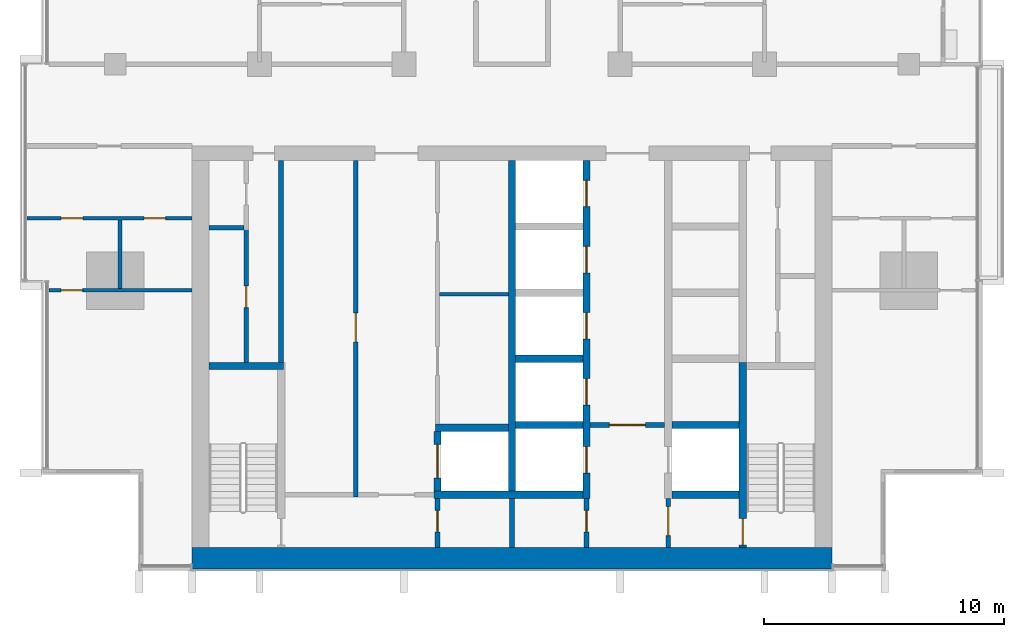
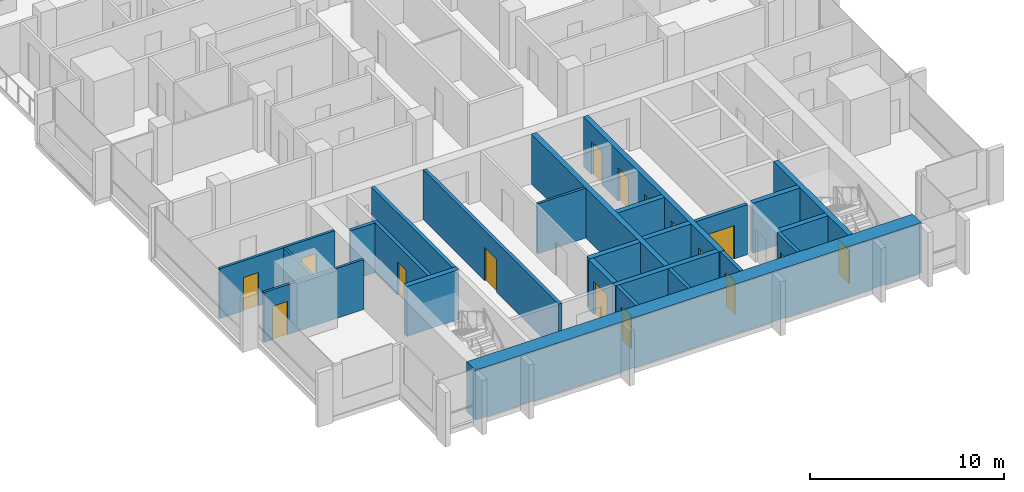
# One storey, part 7 of 17: 25 walls, 16 doors, 16 openings.
"""IFC4 building model written with IfcOpenShell, lengths in metres."""

import ifcopenshell
import ifcopenshell.guid

model = None  # the IFC model being written
_history = None  # IfcOwnerHistory: only IFC2X3 demands one
_inside = {}  # id of a spatial element -> (the spatial element, [elements in it])
_under = {}  # id of a project, library or spatial element -> (it, [spatial elements below it])
_declared = {}  # id of a project -> (the project, [libraries it declares])
_typed = {}  # id of a type object -> (the type object, [elements of that type])
_made_of = {}  # id of a material, layer set ... -> (it, [elements and type objects made of it])


def new_model(schema):
    """Start an empty IFC model of exactly this schema.

    Asked for "IFC4X3", IfcOpenShell would pick the latest addendum, in which some entities
    have other attributes; the version numbers below select the first issue.
    IFC2X3 requires an IfcOwnerHistory on every rooted entity: one is made here for all.
    """
    global model, _history
    if schema == "IFC4X3":
        model = ifcopenshell.file(schema_version=(4, 3, 0, 0))
    else:
        model = ifcopenshell.file(schema=schema)
    _inside.clear()
    _under.clear()
    _declared.clear()
    _typed.clear()
    _made_of.clear()
    _history = None
    if model.schema == "IFC2X3":
        org = make("IfcOrganization", Name="unknown")
        user = make(
            "IfcPersonAndOrganization",
            ThePerson=make("IfcPerson", FamilyName="unknown"),
            TheOrganization=org,
        )
        app = make(
            "IfcApplication",
            ApplicationDeveloper=org,
            Version="unknown",
            ApplicationFullName="unknown",
            ApplicationIdentifier="unknown",
        )
        _history = make(
            "IfcOwnerHistory",
            OwningUser=user,
            OwningApplication=app,
            ChangeAction="ADDED",
            CreationDate=0,
        )
    return model


def make(cls, **values):
    """One entity of the class cls with the attributes given. An attribute that is None is left unset."""
    return model.create_entity(
        cls, **{name: value for name, value in values.items() if value is not None}
    )


def rooted(cls, **values):
    """An entity with a GlobalId (a new one), such as an element, a storey or a relation."""
    return make(cls, GlobalId=ifcopenshell.guid.new(), OwnerHistory=_history, **values)


def si_unit(unit_type, name, prefix=None):
    """IfcSIUnit, for example si_unit("LENGTHUNIT", "METRE", prefix="MILLI")."""
    return make("IfcSIUnit", UnitType=unit_type, Prefix=prefix, Name=name)


def assignment(units):
    """IfcUnitAssignment: the units of a project."""
    return None if units is None else make("IfcUnitAssignment", Units=units)


def point(xyz):
    """IfcCartesianPoint."""
    return None if xyz is None else make("IfcCartesianPoint", Coordinates=xyz)


def direction(xyz):
    """IfcDirection."""
    return None if xyz is None else make("IfcDirection", DirectionRatios=xyz)


def frame(location, z_axis=None, x_axis=None):
    """IfcAxis2Placement3D, a coordinate frame: its origin and axes. An axis left out is left unset."""
    return make(
        "IfcAxis2Placement3D",
        Location=point(location),
        Axis=direction(z_axis),
        RefDirection=direction(x_axis),
    )


def frame_2d(location, x_axis=None):
    """IfcAxis2Placement2D, a coordinate frame in the plane: its origin and x axis."""
    return make(
        "IfcAxis2Placement2D", Location=point(location), RefDirection=direction(x_axis)
    )


def origin():
    """The frame at (0, 0, 0) with its axes left unset."""
    return frame((0.0, 0.0, 0.0))


def place(relative_to, where):
    """IfcLocalPlacement: puts the frame where relative to a parent placement (None: the world)."""
    return make(
        "IfcLocalPlacement", PlacementRelTo=relative_to, RelativePlacement=where
    )


def context(
    kind, dimensions, precision=None, world=None, true_north=None, identifier=None
):
    """IfcGeometricRepresentationContext, for example the 3D "Model" context."""
    return make(
        "IfcGeometricRepresentationContext",
        ContextIdentifier=identifier,
        ContextType=kind,
        CoordinateSpaceDimension=dimensions,
        Precision=precision,
        WorldCoordinateSystem=world,
        TrueNorth=true_north,
    )


def subcontext(parent, identifier, kind, view, scale=None):
    """IfcGeometricRepresentationSubContext, for example "Body" below "Model"."""
    return make(
        "IfcGeometricRepresentationSubContext",
        ContextIdentifier=identifier,
        ContextType=kind,
        ParentContext=parent,
        TargetScale=scale,
        TargetView=view,
    )


def project(units=None, contexts=None):
    """IfcProject with its units and contexts."""
    return rooted(
        "IfcProject",
        Name="project",
        RepresentationContexts=contexts,
        UnitsInContext=assignment(units),
    )


def spatial(cls, under=None, at=None, **own):
    """A site, building, storey or space (cls), placed at a placement, below another one or the project."""
    s = rooted(cls, ObjectPlacement=at, **own)
    if under is not None:
        _under.setdefault(under.id(), (under, []))[1].append(s)
    return s


def profile(cls, at=None, kind="AREA", **sizes):
    """A parametric profile (cls). Its sizes go by their IFC names, for example OverallWidth=200.0."""
    return make(cls, ProfileType=kind, Position=at, **sizes)


def rectangle(**sizes):
    """IfcRectangleProfileDef."""
    return profile("IfcRectangleProfileDef", **sizes)


def extrude(swept, where, along, depth):
    """IfcExtrudedAreaSolid: the profile swept, set in the frame where, extruded along a direction by depth."""
    return make(
        "IfcExtrudedAreaSolid",
        SweptArea=swept,
        Position=where,
        ExtrudedDirection=direction(along),
        Depth=depth,
    )


def shape(context_of_items, identifier, shape_type, items):
    """IfcShapeRepresentation: the items that make up one representation, for example the "Body"."""
    return make(
        "IfcShapeRepresentation",
        ContextOfItems=context_of_items,
        RepresentationIdentifier=identifier,
        RepresentationType=shape_type,
        Items=items,
    )


def material(Name=None, Category=None):
    """IfcMaterial."""
    return make("IfcMaterial", Name=Name, Category=Category)


def layer(
    of_material, thickness, ventilated=None, Name=None, Category=None, Priority=None
):
    """IfcMaterialLayer: one layer of a wall or slab, of a material (None: an air gap)."""
    return make(
        "IfcMaterialLayer",
        Material=of_material,
        LayerThickness=thickness,
        IsVentilated=ventilated,
        Name=Name,
        Category=Category,
        Priority=Priority,
    )


def layer_set(layers, Name=None):
    """IfcMaterialLayerSet."""
    return make("IfcMaterialLayerSet", MaterialLayers=layers, LayerSetName=Name)


def made_of(thing, what):
    """Note that an element or type object is made of a material, layer set ...; save() writes the relation."""
    if what is not None:
        _made_of.setdefault(what.id(), (what, []))[1].append(thing)
    return thing


def type_object(cls, material=None, **own):
    """A type object (cls), such as IfcWallType, which elements share."""
    return made_of(rooted(cls, **own), material)


def element(
    cls,
    number,
    at=None,
    inside=None,
    cuts=None,
    type_object=None,
    material=None,
    context=None,
    identifier="Body",
    shape_type=None,
    held_by="IfcProductDefinitionShape",
    body=None,
    shapes=None,
    **own,
):
    """One element of the class cls, such as IfcWall. Its Tag is "e" and its number.

    at: its placement. inside: the storey or other place that contains it. cuts: it is an
    opening in that element (IfcRelVoidsElement). A single representation is given by context,
    identifier, shape_type and body (its items); several are given by shapes. held_by: the class
    of the entity that holds the representations. save() writes the other relations.
    """
    e = rooted(cls, Tag="e%d" % number, ObjectPlacement=at, **own)
    if body is not None:
        shapes = [shape(context, identifier, shape_type, body)]
    if shapes is not None:
        e.Representation = make(held_by, Representations=shapes)
    if inside is not None:
        _inside.setdefault(inside.id(), (inside, []))[1].append(e)
    if cuts is not None:
        rooted(
            "IfcRelVoidsElement", RelatingBuildingElement=cuts, RelatedOpeningElement=e
        )
    if type_object is not None:
        _typed.setdefault(type_object.id(), (type_object, []))[1].append(e)
    return made_of(e, material)


def fill(opening, filler):
    """IfcRelFillsElement: the door or window that sits in an opening."""
    return rooted(
        "IfcRelFillsElement",
        RelatingOpeningElement=opening,
        RelatedBuildingElement=filler,
    )


def aggregate(whole, parts):
    """IfcRelAggregates: a whole, such as a stair, and the parts it consists of."""
    return rooted("IfcRelAggregates", RelatingObject=whole, RelatedObjects=parts)


def save(model, path):
    """Write the relations noted so far, then the file.

    IfcRelAggregates (storeys below a building ...), IfcRelContainedInSpatialStructure (elements
    in a storey), IfcRelDefinesByType, IfcRelAssociatesMaterial and IfcRelDeclares: one each for
    every whole, place, type object, material and project.
    """
    for whole, parts in _under.values():
        aggregate(whole, parts)
    for where, things in _inside.values():
        rooted(
            "IfcRelContainedInSpatialStructure",
            RelatedElements=things,
            RelatingStructure=where,
        )
    for kind, things in _typed.values():
        rooted("IfcRelDefinesByType", RelatedObjects=things, RelatingType=kind)
    for what, things in _made_of.values():
        rooted("IfcRelAssociatesMaterial", RelatedObjects=things, RelatingMaterial=what)
    for by, libraries in _declared.values():
        rooted("IfcRelDeclares", RelatingContext=by, RelatedDefinitions=libraries)
    model.write(path)


model = new_model("IFC4")

# Units and contexts
model_context = context("Model", 3, precision=1e-05, world=origin(), true_north=direction((0.0, 1.0)))
body_context = subcontext(model_context, "Body", "Model", "MODEL_VIEW")
ifc_project = project(units=[si_unit("LENGTHUNIT", "METRE"), si_unit("AREAUNIT", "SQUARE_METRE"), si_unit("VOLUMEUNIT", "CUBIC_METRE"), si_unit("PLANEANGLEUNIT", "RADIAN"), si_unit("MASSUNIT", "GRAM", prefix="KILO")], contexts=[model_context])

# Site, building, storey
site_placement = place(None, origin())
site = spatial("IfcSite", under=ifc_project, at=site_placement, CompositionType="ELEMENT")
building_placement = place(site_placement, origin())
building = spatial("IfcBuilding", under=site, at=building_placement, Name="Finial Court Residences", CompositionType="ELEMENT")
storey_placement = place(building_placement, frame((0.0, 0.0, 196.10009765625)))
storey = spatial("IfcBuildingStorey", under=building, at=storey_placement, Name="L49", CompositionType="ELEMENT", Elevation=196.10009765625)

# Walls
ifc_material_1 = material(Name="Fire-rated gypsum board partition")
ifc_layer_1 = layer(ifc_material_1, 0.14990234375)
ifc_layer_set_1 = layer_set([ifc_layer_1], Name="Core room partition 150 EI 60")
wall_type_1 = type_object("IfcWallType", Name="Core room partition 150 EI 60", PredefinedType="PARTITIONING", material=ifc_layer_set_1)
wall_1_placement = place(storey_placement, frame((-3.02490234375, -14.06005859375, 0.0), z_axis=(0.0, 0.0, 1.0), x_axis=(1.0, 0.0, 0.0)))
element("IfcWall", 1, at=wall_1_placement, inside=storey, type_object=wall_type_1, Name="Core partition L49-13", PredefinedType="PARTITIONING", context=body_context, shape_type="SweptSolid", body=[
    extrude(rectangle(XDim=2.875, YDim=0.14990234375, at=frame_2d((1.4375, 0.0))), origin(), (0.0, 0.0, 1.0), 3.14990234375),
])
ifc_material_2 = material(Name="Concrete C70/85", Category="concrete")
ifc_layer_2 = layer(ifc_material_2, 0.89990234375)
ifc_layer_set_2 = layer_set([ifc_layer_2], Name="Core south facade wall 900 Concrete C70/85")
wall_type_2 = type_object("IfcWallType", Name="Core south facade wall 900 Concrete C70/85", PredefinedType="SHEAR", material=ifc_layer_set_2)
wall_2_placement = place(storey_placement, frame((-13.300048828125, -25.050048828125, 0.0), z_axis=(0.0, 0.0, 1.0), x_axis=(1.0, 0.0, 0.0)))
element("IfcWall", 2, at=wall_2_placement, inside=storey, type_object=wall_type_2, Name="Core outer wall L49-01", PredefinedType="SHEAR", context=body_context, shape_type="SweptSolid", body=[
    extrude(rectangle(XDim=26.60009765625, YDim=0.89990234375, at=frame_2d((13.300048828125, 0.0))), origin(), (0.0, 0.0, 1.0), 3.14990234375),
])

# Wall, opening, door
ifc_layer_3 = layer(ifc_material_1, 0.199951171875)
ifc_layer_set_3 = layer_set([ifc_layer_3], Name="Firefighting lobby wall 200 EI 120")
wall_type_3 = type_object("IfcWallType", Name="Firefighting lobby wall 200 EI 120", PredefinedType="PARTITIONING", material=ifc_layer_set_3)
wall_3_placement = place(storey_placement, frame((6.35009765625, -19.5, 0.0), z_axis=(0.0, 0.0, 1.0), x_axis=(-1.0, 0.0, 0.0)))
wall_3 = element("IfcWall", 3, at=wall_3_placement, inside=storey, type_object=wall_type_3, Name="Core partition L49-07", PredefinedType="PARTITIONING", context=body_context, shape_type="SweptSolid", body=[
    extrude(rectangle(XDim=3.10009765625, YDim=0.199951171875, at=frame_2d((1.550048828125, 0.0))), origin(), (0.0, 0.0, 1.0), 3.14990234375),
])
opening_1_placement = place(wall_3_placement, frame((0.800048828125, 0.0, 0.0)))
opening_1 = element("IfcOpeningElement", 4, at=opening_1_placement, cuts=wall_3, Name="Opening L49-C02", PredefinedType="OPENING", context=body_context, shape_type="SweptSolid", body=[
    extrude(rectangle(XDim=1.5, YDim=2.10009765625, at=frame_2d((0.75, 1.050048828125))), frame((0.0, 0.10986328125, 0.0), z_axis=(0.0, -1.0, 0.0), x_axis=(1.0, 0.0, 0.0)), (0.0, 0.0, 1.0), 0.219970703125),
])
ifc_material_3 = material(Name="Steel fire door", Category="steel")
door_type_1 = type_object("IfcDoorType", Name="Firefighting lobby door 1500 x 2100 EI 90", OperationType="DOUBLE_DOOR_SINGLE_SWING", PredefinedType="DOOR", material=ifc_material_3)
door_1_placement = place(opening_1_placement, origin())
door_1 = element("IfcDoor", 5, at=door_1_placement, inside=storey, type_object=door_type_1, Name="Firefighting lobby door L49-C02", OperationType="DOUBLE_DOOR_SINGLE_SWING", OverallHeight=2.10009765625, OverallWidth=1.5, PredefinedType="DOOR", context=body_context, shape_type="SweptSolid", body=[
    extrude(rectangle(XDim=1.5, YDim=2.10009765625, at=frame_2d((0.75, 1.050048828125))), frame((0.0, 0.02490234375, 0.0), z_axis=(0.0, -1.0, 0.0), x_axis=(1.0, 0.0, 0.0)), (0.0, 0.0, 1.0), 0.050048828125),
])
fill(opening_1, door_1)

wall_4_placement = place(storey_placement, frame((3.10009765625, -24.60009765625, 0.0), z_axis=(0.0, 0.0, 1.0), x_axis=(0.0, 1.0, 0.0)))
wall_4 = element("IfcWall", 6, at=wall_4_placement, inside=storey, type_object=wall_type_3, Name="Core partition L49-30", PredefinedType="PARTITIONING", context=body_context, shape_type="SweptSolid", body=[
    extrude(rectangle(XDim=2.050048828125, YDim=0.199951171875, at=frame_2d((1.02490234375, 0.0))), origin(), (0.0, 0.0, 1.0), 3.14990234375),
])
opening_2_placement = place(wall_4_placement, frame((0.64990234375, 0.0, 0.0)))
opening_2 = element("IfcOpeningElement", 7, at=opening_2_placement, cuts=wall_4, Name="Opening L49-C06", PredefinedType="OPENING", context=body_context, shape_type="SweptSolid", body=[
    extrude(rectangle(XDim=0.89990234375, YDim=2.10009765625, at=frame_2d((0.449951171875, 1.050048828125))), frame((0.0, 0.10986328125, 0.0), z_axis=(0.0, -1.0, 0.0), x_axis=(1.0, 0.0, 0.0)), (0.0, 0.0, 1.0), 0.219970703125),
])
door_type_2 = type_object("IfcDoorType", Name="Riser room door 900 x 2100 EI 90", OperationType="NOTDEFINED", PredefinedType="DOOR", material=ifc_material_3)
door_2_placement = place(opening_2_placement, origin())
door_2 = element("IfcDoor", 8, at=door_2_placement, inside=storey, type_object=door_type_2, Name="Riser room door L49-C06", OperationType="SINGLE_SWING_LEFT", OverallHeight=2.10009765625, OverallWidth=0.89990234375, PredefinedType="DOOR", context=body_context, shape_type="SweptSolid", body=[
    extrude(rectangle(XDim=0.89990234375, YDim=2.10009765625, at=frame_2d((0.449951171875, 1.050048828125))), frame((0.0, 0.02490234375, 0.0), z_axis=(0.0, -1.0, 0.0), x_axis=(1.0, 0.0, 0.0)), (0.0, 0.0, 1.0), 0.050048828125),
])
fill(opening_2, door_2)

wall_5_placement = place(storey_placement, frame((6.5, -22.550048828125, 0.0), z_axis=(0.0, 0.0, 1.0), x_axis=(0.0, -1.0, 0.0)))
wall_5 = element("IfcWall", 9, at=wall_5_placement, inside=storey, type_object=wall_type_3, Name="Core partition L49-32", PredefinedType="PARTITIONING", context=body_context, shape_type="SweptSolid", body=[
    extrude(rectangle(XDim=2.050048828125, YDim=0.199951171875, at=frame_2d((1.02490234375, 0.0))), origin(), (0.0, 0.0, 1.0), 3.14990234375),
])
opening_3_placement = place(wall_5_placement, frame((0.35009765625, 0.0, 0.0)))
opening_3 = element("IfcOpeningElement", 10, at=opening_3_placement, cuts=wall_5, Name="Opening L49-C01", PredefinedType="OPENING", context=body_context, shape_type="SweptSolid", body=[
    extrude(rectangle(XDim=1.199951171875, YDim=2.10009765625, at=frame_2d((0.60009765625, 1.050048828125))), frame((0.0, 0.10986328125, 0.0), z_axis=(0.0, -1.0, 0.0), x_axis=(1.0, 0.0, 0.0)), (0.0, 0.0, 1.0), 0.219970703125),
])
door_type_3 = type_object("IfcDoorType", Name="Firefighting lobby door 1200 x 2100 EI 90", OperationType="NOTDEFINED", PredefinedType="DOOR", material=ifc_material_3)
door_3_placement = place(opening_3_placement, origin())
door_3 = element("IfcDoor", 11, at=door_3_placement, inside=storey, type_object=door_type_3, Name="Firefighting lobby door L49-C01", OperationType="SINGLE_SWING_RIGHT", OverallHeight=2.10009765625, OverallWidth=1.199951171875, PredefinedType="DOOR", context=body_context, shape_type="SweptSolid", body=[
    extrude(rectangle(XDim=1.199951171875, YDim=2.10009765625, at=frame_2d((0.60009765625, 1.050048828125))), frame((0.0, 0.02490234375, 0.0), z_axis=(0.0, -1.0, 0.0), x_axis=(1.0, 0.0, 0.0)), (0.0, 0.0, 1.0), 0.050048828125),
])
fill(opening_3, door_3)

ifc_material_4 = material(Name="Moisture-resistant gypsum board")
ifc_layer_4 = layer(ifc_material_4, 0.012451171875)
ifc_material_5 = material(Name="Mineral wool in light-gauge frame")
ifc_layer_5 = layer(ifc_material_5, 0.125)
ifc_layer_6 = layer(ifc_material_4, 0.012451171875)
ifc_layer_set_4 = layer_set([ifc_layer_4, ifc_layer_5, ifc_layer_6], Name="Gypsum board wet-area partition 150")
wall_type_4 = type_object("IfcWallType", Name="Gypsum board wet-area partition 150", PredefinedType="PARTITIONING", material=ifc_layer_set_4)
wall_6_placement = place(storey_placement, frame((-19.262451171875, -13.89990234375, 0.0), z_axis=(0.0, 0.0, 1.0), x_axis=(1.0, 0.0, 0.0)))
wall_6 = element("IfcWall", 12, at=wall_6_placement, inside=storey, type_object=wall_type_4, Name="Partition L49-000", PredefinedType="PARTITIONING", context=body_context, shape_type="SweptSolid", body=[
    extrude(rectangle(XDim=5.96240234375, YDim=0.14990234375, at=frame_2d((2.981201171875, 0.0))), origin(), (0.0, 0.0, 1.0), 3.14990234375),
])
opening_4_placement = place(wall_6_placement, frame((0.511962890625, 0.0, 0.0)))
opening_4 = element("IfcOpeningElement", 13, at=opening_4_placement, cuts=wall_6, Name="Opening L49-D001", PredefinedType="OPENING", context=body_context, shape_type="SweptSolid", body=[
    extrude(rectangle(XDim=0.89990234375, YDim=2.10009765625, at=frame_2d((0.449951171875, 1.050048828125))), frame((0.0, 0.0849609375, 0.0), z_axis=(0.0, -1.0, 0.0), x_axis=(1.0, 0.0, 0.0)), (0.0, 0.0, 1.0), 0.169921875),
])
ifc_material_6 = material(Name="Timber door leaf in timber frame", Category="wood")
door_type_4 = type_object("IfcDoorType", Name="Door set 900 x 2100", OperationType="SINGLE_SWING_LEFT", PredefinedType="DOOR", material=ifc_material_6)
door_4_placement = place(opening_4_placement, origin())
door_4 = element("IfcDoor", 14, at=door_4_placement, inside=storey, type_object=door_type_4, Name="Door L49-D001", OperationType="SINGLE_SWING_LEFT", OverallHeight=2.10009765625, OverallWidth=0.89990234375, PredefinedType="DOOR", context=body_context, shape_type="SweptSolid", body=[
    extrude(rectangle(XDim=0.89990234375, YDim=2.10009765625, at=frame_2d((0.449951171875, 1.050048828125))), frame((0.0, 0.02490234375, 0.0), z_axis=(0.0, -1.0, 0.0), x_axis=(1.0, 0.0, 0.0)), (0.0, 0.0, 1.0), 0.050048828125),
])
fill(opening_4, door_4)

# Wall, openings, doors
wall_7_placement = place(storey_placement, frame((-20.16259765625, -10.89990234375, 0.0), z_axis=(0.0, 0.0, 1.0), x_axis=(1.0, 0.0, 0.0)))
wall_7 = element("IfcWall", 15, at=wall_7_placement, inside=storey, type_object=wall_type_4, Name="Partition L49-002", PredefinedType="PARTITIONING", context=body_context, shape_type="SweptSolid", body=[
    extrude(rectangle(XDim=6.862548828125, YDim=0.14990234375, at=frame_2d((3.43115234375, 0.0))), origin(), (0.0, 0.0, 1.0), 3.14990234375),
])
opening_5_placement = place(wall_7_placement, frame((1.4130859375, 0.0, 0.0)))
opening_5 = element("IfcOpeningElement", 16, at=opening_5_placement, cuts=wall_7, Name="Opening L49-D003", PredefinedType="OPENING", context=body_context, shape_type="SweptSolid", body=[
    extrude(rectangle(XDim=0.89990234375, YDim=2.10009765625, at=frame_2d((0.449951171875, 1.050048828125))), frame((0.0, 0.0849609375, 0.0), z_axis=(0.0, -1.0, 0.0), x_axis=(1.0, 0.0, 0.0)), (0.0, 0.0, 1.0), 0.169921875),
])
opening_6_placement = place(wall_7_placement, frame((4.863037109375, 0.0, 0.0)))
opening_6 = element("IfcOpeningElement", 17, at=opening_6_placement, cuts=wall_7, Name="Opening L49-D004", PredefinedType="OPENING", context=body_context, shape_type="SweptSolid", body=[
    extrude(rectangle(XDim=0.89990234375, YDim=2.10009765625, at=frame_2d((0.449951171875, 1.050048828125))), frame((0.0, 0.0849609375, 0.0), z_axis=(0.0, -1.0, 0.0), x_axis=(1.0, 0.0, 0.0)), (0.0, 0.0, 1.0), 0.169921875),
])
door_5_placement = place(opening_5_placement, origin())
door_5 = element("IfcDoor", 18, at=door_5_placement, inside=storey, type_object=door_type_4, Name="Door L49-D003", OperationType="SINGLE_SWING_LEFT", OverallHeight=2.10009765625, OverallWidth=0.89990234375, PredefinedType="DOOR", context=body_context, shape_type="SweptSolid", body=[
    extrude(rectangle(XDim=0.89990234375, YDim=2.10009765625, at=frame_2d((0.449951171875, 1.050048828125))), frame((0.0, 0.02490234375, 0.0), z_axis=(0.0, -1.0, 0.0), x_axis=(1.0, 0.0, 0.0)), (0.0, 0.0, 1.0), 0.050048828125),
])
fill(opening_5, door_5)
door_6_placement = place(opening_6_placement, origin())
door_6 = element("IfcDoor", 19, at=door_6_placement, inside=storey, type_object=door_type_4, Name="Door L49-D004", OperationType="SINGLE_SWING_RIGHT", OverallHeight=2.10009765625, OverallWidth=0.89990234375, PredefinedType="DOOR", context=body_context, shape_type="SweptSolid", body=[
    extrude(rectangle(XDim=0.89990234375, YDim=2.10009765625, at=frame_2d((0.449951171875, 1.050048828125))), frame((0.0, 0.02490234375, 0.0), z_axis=(0.0, -1.0, 0.0), x_axis=(1.0, 0.0, 0.0)), (0.0, 0.0, 1.0), 0.050048828125),
])
fill(opening_6, door_6)

# Walls
wall_8_placement = place(storey_placement, frame((-16.300048828125, -13.824951171875, 0.0), z_axis=(0.0, 0.0, 1.0), x_axis=(0.0, 1.0, 0.0)))
element("IfcWall", 20, at=wall_8_placement, inside=storey, type_object=wall_type_4, Name="Partition L49-035", PredefinedType="PARTITIONING", context=body_context, shape_type="SweptSolid", body=[
    extrude(rectangle(XDim=2.849853515625, YDim=0.14990234375, at=frame_2d((1.4248046875, 0.0))), origin(), (0.0, 0.0, 1.0), 3.14990234375),
])
ifc_layer_7 = layer(ifc_material_2, 0.300048828125)
ifc_layer_set_5 = layer_set([ifc_layer_7], Name="Lift shaft and stair wall 300 Concrete C70/85")
wall_type_5 = type_object("IfcWallType", Name="Lift shaft and stair wall 300 Concrete C70/85", PredefinedType="SHEAR", material=ifc_layer_set_5)
wall_9_placement = place(storey_placement, frame((-3.25, -22.39990234375, 0.0), z_axis=(0.0, 0.0, 1.0), x_axis=(1.0, 0.0, 0.0)))
element("IfcWall", 21, at=wall_9_placement, inside=storey, type_object=wall_type_5, Name="Core wall L49-03", PredefinedType="SHEAR", context=body_context, shape_type="SweptSolid", body=[
    extrude(rectangle(XDim=6.199951171875, YDim=0.300048828125, at=frame_2d((3.10009765625, 0.0))), origin(), (0.0, 0.0, 1.0), 3.14990234375),
])
wall_10_placement = place(storey_placement, frame((6.64990234375, -22.39990234375, 0.0), z_axis=(0.0, 0.0, 1.0), x_axis=(1.0, 0.0, 0.0)))
element("IfcWall", 22, at=wall_10_placement, inside=storey, type_object=wall_type_5, Name="Core wall L49-04", PredefinedType="SHEAR", context=body_context, shape_type="SweptSolid", body=[
    extrude(rectangle(XDim=2.800048828125, YDim=0.300048828125, at=frame_2d((1.39990234375, 0.0))), origin(), (0.0, 0.0, 1.0), 3.14990234375),
])
wall_11_placement = place(storey_placement, frame((-3.175048828125, -19.6201171875, 0.0), z_axis=(0.0, 0.0, 1.0), x_axis=(1.0, 0.0, 0.0)))
element("IfcWall", 23, at=wall_11_placement, inside=storey, type_object=wall_type_5, Name="Core wall L49-05", PredefinedType="SHEAR", context=body_context, shape_type="SweptSolid", body=[
    extrude(rectangle(XDim=3.025146484375, YDim=0.300048828125, at=frame_2d((1.5126953125, 0.0))), origin(), (0.0, 0.0, 1.0), 3.14990234375),
])
for number, where, z_axis, x_axis, name in (
    (24, (0.14990234375, -19.5, 0.0), (0.0, 0.0, 1.0), (1.0, 0.0, 0.0), "Core wall L49-06"),
    (25, (6.64990234375, -19.5, 0.0), (0.0, 0.0, 1.0), (1.0, 0.0, 0.0), "Core wall L49-08"),
):
    element("IfcWall", number, at=place(storey_placement, frame(where, z_axis=z_axis, x_axis=x_axis)), inside=storey, type_object=wall_type_5, Name=name, PredefinedType="SHEAR", context=body_context, shape_type="SweptSolid", body=[
        extrude(rectangle(XDim=2.800048828125, YDim=0.300048828125, at=frame_2d((1.39990234375, 0.0))), origin(), (0.0, 0.0, 1.0), 3.14990234375),
    ])
wall_12_placement = place(storey_placement, frame((-12.60009765625, -17.050048828125, 0.0), z_axis=(0.0, 0.0, 1.0), x_axis=(1.0, 0.0, 0.0)))
element("IfcWall", 26, at=wall_12_placement, inside=storey, type_object=wall_type_5, Name="Core wall L49-09", PredefinedType="SHEAR", context=body_context, shape_type="SweptSolid", body=[
    extrude(rectangle(XDim=3.10009765625, YDim=0.300048828125, at=frame_2d((1.550048828125, 0.0))), origin(), (0.0, 0.0, 1.0), 3.14990234375),
])
wall_13_placement = place(storey_placement, frame((0.14990234375, -16.75, 0.0), z_axis=(0.0, 0.0, 1.0), x_axis=(1.0, 0.0, 0.0)))
element("IfcWall", 27, at=wall_13_placement, inside=storey, type_object=wall_type_5, Name="Core wall L49-11", PredefinedType="SHEAR", context=body_context, shape_type="SweptSolid", body=[
    extrude(rectangle(XDim=2.800048828125, YDim=0.300048828125, at=frame_2d((1.39990234375, 0.0))), origin(), (0.0, 0.0, 1.0), 3.14990234375),
])

# Wall, opening, door
wall_14_placement = place(storey_placement, frame((-3.10009765625, -22.25, 0.0), z_axis=(0.0, 0.0, 1.0), x_axis=(0.0, 1.0, 0.0)))
wall_14 = element("IfcWall", 28, at=wall_14_placement, inside=storey, type_object=wall_type_5, Name="Core wall L49-26", PredefinedType="SHEAR", context=body_context, shape_type="SweptSolid", body=[
    extrude(rectangle(XDim=2.47998046875, YDim=0.300048828125, at=frame_2d((1.239990234375, 0.0))), origin(), (0.0, 0.0, 1.0), 3.14990234375),
])
opening_7_placement = place(wall_14_placement, frame((0.5400390625, 0.0, 0.0)))
opening_7 = element("IfcOpeningElement", 29, at=opening_7_placement, cuts=wall_14, Name="Opening L49-LD07", PredefinedType="OPENING", context=body_context, shape_type="SweptSolid", body=[
    extrude(rectangle(XDim=1.39990234375, YDim=2.10009765625, at=frame_2d((0.699951171875, 1.050048828125))), frame((0.0, 0.159912109375, 0.0), z_axis=(0.0, -1.0, 0.0), x_axis=(1.0, 0.0, 0.0)), (0.0, 0.0, 1.0), 0.320068359375),
])
ifc_material_7 = material(Name="Stainless steel lift door", Category="steel")
door_type_5 = type_object("IfcDoorType", Name="Lift landing door 1400 x 2100 EI 90", OperationType="DOUBLE_DOOR_SLIDING", PredefinedType="DOOR", material=ifc_material_7)
door_7_placement = place(opening_7_placement, origin())
door_7 = element("IfcDoor", 30, at=door_7_placement, inside=storey, type_object=door_type_5, Name="Lift landing door SV1 L49", OperationType="DOUBLE_DOOR_SLIDING", OverallHeight=2.10009765625, OverallWidth=1.39990234375, PredefinedType="DOOR", context=body_context, shape_type="SweptSolid", body=[
    extrude(rectangle(XDim=1.39990234375, YDim=2.10009765625, at=frame_2d((0.699951171875, 1.050048828125))), frame((0.0, 0.02490234375, 0.0), z_axis=(0.0, -1.0, 0.0), x_axis=(1.0, 0.0, 0.0)), (0.0, 0.0, 1.0), 0.050048828125),
])
fill(opening_7, door_7)

# Wall
wall_15_placement = place(storey_placement, frame((0.0, -22.25, 0.0), z_axis=(0.0, 0.0, 1.0), x_axis=(0.0, 1.0, 0.0)))
element("IfcWall", 31, at=wall_15_placement, inside=storey, type_object=wall_type_5, Name="Core wall L49-29", PredefinedType="SHEAR", context=body_context, shape_type="SweptSolid", body=[
    extrude(rectangle(XDim=13.75, YDim=0.300048828125, at=frame_2d((6.875, 0.0))), origin(), (0.0, 0.0, 1.0), 3.14990234375),
])

# Wall, openings, doors
wall_16_placement = place(storey_placement, frame((3.10009765625, -22.550048828125, 0.0), z_axis=(0.0, 0.0, 1.0), x_axis=(0.0, 1.0, 0.0)))
wall_16 = element("IfcWall", 32, at=wall_16_placement, inside=storey, type_object=wall_type_5, Name="Core wall L49-31", PredefinedType="SHEAR", context=body_context, shape_type="SweptSolid", body=[
    extrude(rectangle(XDim=14.050048828125, YDim=0.300048828125, at=frame_2d((7.02490234375, 0.0))), origin(), (0.0, 0.0, 1.0), 3.14990234375),
])
opening_8_placement = place(wall_16_placement, frame((1.050048828125, 0.0, 0.0)))
opening_8 = element("IfcOpeningElement", 33, at=opening_8_placement, cuts=wall_16, Name="Opening L49-LD01", PredefinedType="OPENING", context=body_context, shape_type="SweptSolid", body=[
    extrude(rectangle(XDim=1.10009765625, YDim=2.10009765625, at=frame_2d((0.550048828125, 1.050048828125))), frame((0.0, 0.159912109375, 0.0), z_axis=(0.0, -1.0, 0.0), x_axis=(1.0, 0.0, 0.0)), (0.0, 0.0, 1.0), 0.320068359375),
])
opening_9_placement = place(wall_16_placement, frame((3.875, 0.0, 0.0)))
opening_9 = element("IfcOpeningElement", 34, at=opening_9_placement, cuts=wall_16, Name="Opening L49-LD03", PredefinedType="OPENING", context=body_context, shape_type="SweptSolid", body=[
    extrude(rectangle(XDim=1.10009765625, YDim=2.10009765625, at=frame_2d((0.550048828125, 1.050048828125))), frame((0.0, 0.159912109375, 0.0), z_axis=(0.0, -1.0, 0.0), x_axis=(1.0, 0.0, 0.0)), (0.0, 0.0, 1.0), 0.320068359375),
])
opening_10_placement = place(wall_16_placement, frame((6.625, 0.0, 0.0)))
opening_10 = element("IfcOpeningElement", 35, at=opening_10_placement, cuts=wall_16, Name="Opening L49-LD04", PredefinedType="OPENING", context=body_context, shape_type="SweptSolid", body=[
    extrude(rectangle(XDim=1.10009765625, YDim=2.10009765625, at=frame_2d((0.550048828125, 1.050048828125))), frame((0.0, 0.159912109375, 0.0), z_axis=(0.0, -1.0, 0.0), x_axis=(1.0, 0.0, 0.0)), (0.0, 0.0, 1.0), 0.320068359375),
])
opening_11_placement = place(wall_16_placement, frame((9.375, 0.0, 0.0)))
opening_11 = element("IfcOpeningElement", 36, at=opening_11_placement, cuts=wall_16, Name="Opening L49-LD05", PredefinedType="OPENING", context=body_context, shape_type="SweptSolid", body=[
    extrude(rectangle(XDim=1.10009765625, YDim=2.10009765625, at=frame_2d((0.550048828125, 1.050048828125))), frame((0.0, 0.159912109375, 0.0), z_axis=(0.0, -1.0, 0.0), x_axis=(1.0, 0.0, 0.0)), (0.0, 0.0, 1.0), 0.320068359375),
])
opening_12_placement = place(wall_16_placement, frame((12.125, 0.0, 0.0)))
opening_12 = element("IfcOpeningElement", 37, at=opening_12_placement, cuts=wall_16, Name="Opening L49-LD06", PredefinedType="OPENING", context=body_context, shape_type="SweptSolid", body=[
    extrude(rectangle(XDim=1.10009765625, YDim=2.10009765625, at=frame_2d((0.550048828125, 1.050048828125))), frame((0.0, 0.159912109375, 0.0), z_axis=(0.0, -1.0, 0.0), x_axis=(1.0, 0.0, 0.0)), (0.0, 0.0, 1.0), 0.320068359375),
])
door_type_6 = type_object("IfcDoorType", Name="Lift landing door 1100 x 2100 EI 90", OperationType="DOUBLE_DOOR_SLIDING", PredefinedType="DOOR", material=ifc_material_7)
door_8_placement = place(opening_8_placement, origin())
door_8 = element("IfcDoor", 38, at=door_8_placement, inside=storey, type_object=door_type_6, Name="Lift landing door FF1 L49", OperationType="DOUBLE_DOOR_SLIDING", OverallHeight=2.10009765625, OverallWidth=1.10009765625, PredefinedType="DOOR", context=body_context, shape_type="SweptSolid", body=[
    extrude(rectangle(XDim=1.10009765625, YDim=2.10009765625, at=frame_2d((0.550048828125, 1.050048828125))), frame((0.0, 0.02490234375, 0.0), z_axis=(0.0, -1.0, 0.0), x_axis=(1.0, 0.0, 0.0)), (0.0, 0.0, 1.0), 0.050048828125),
])
fill(opening_8, door_8)
door_9_placement = place(opening_9_placement, origin())
door_9 = element("IfcDoor", 39, at=door_9_placement, inside=storey, type_object=door_type_6, Name="Lift landing door HR1 L49", OperationType="DOUBLE_DOOR_SLIDING", OverallHeight=2.10009765625, OverallWidth=1.10009765625, PredefinedType="DOOR", context=body_context, shape_type="SweptSolid", body=[
    extrude(rectangle(XDim=1.10009765625, YDim=2.10009765625, at=frame_2d((0.550048828125, 1.050048828125))), frame((0.0, 0.02490234375, 0.0), z_axis=(0.0, -1.0, 0.0), x_axis=(1.0, 0.0, 0.0)), (0.0, 0.0, 1.0), 0.050048828125),
])
fill(opening_9, door_9)
door_10_placement = place(opening_10_placement, origin())
door_10 = element("IfcDoor", 40, at=door_10_placement, inside=storey, type_object=door_type_6, Name="Lift landing door HR2 L49", OperationType="DOUBLE_DOOR_SLIDING", OverallHeight=2.10009765625, OverallWidth=1.10009765625, PredefinedType="DOOR", context=body_context, shape_type="SweptSolid", body=[
    extrude(rectangle(XDim=1.10009765625, YDim=2.10009765625, at=frame_2d((0.550048828125, 1.050048828125))), frame((0.0, 0.02490234375, 0.0), z_axis=(0.0, -1.0, 0.0), x_axis=(1.0, 0.0, 0.0)), (0.0, 0.0, 1.0), 0.050048828125),
])
fill(opening_10, door_10)
door_11_placement = place(opening_11_placement, origin())
door_11 = element("IfcDoor", 41, at=door_11_placement, inside=storey, type_object=door_type_6, Name="Lift landing door HR3 L49", OperationType="DOUBLE_DOOR_SLIDING", OverallHeight=2.10009765625, OverallWidth=1.10009765625, PredefinedType="DOOR", context=body_context, shape_type="SweptSolid", body=[
    extrude(rectangle(XDim=1.10009765625, YDim=2.10009765625, at=frame_2d((0.550048828125, 1.050048828125))), frame((0.0, 0.02490234375, 0.0), z_axis=(0.0, -1.0, 0.0), x_axis=(1.0, 0.0, 0.0)), (0.0, 0.0, 1.0), 0.050048828125),
])
fill(opening_11, door_11)
door_12_placement = place(opening_12_placement, origin())
door_12 = element("IfcDoor", 42, at=door_12_placement, inside=storey, type_object=door_type_6, Name="Lift landing door HR4 L49", OperationType="DOUBLE_DOOR_SLIDING", OverallHeight=2.10009765625, OverallWidth=1.10009765625, PredefinedType="DOOR", context=body_context, shape_type="SweptSolid", body=[
    extrude(rectangle(XDim=1.10009765625, YDim=2.10009765625, at=frame_2d((0.550048828125, 1.050048828125))), frame((0.0, 0.02490234375, 0.0), z_axis=(0.0, -1.0, 0.0), x_axis=(1.0, 0.0, 0.0)), (0.0, 0.0, 1.0), 0.050048828125),
])
fill(opening_12, door_12)

# Wall, opening, door
wall_17_placement = place(storey_placement, frame((9.60009765625, -16.89990234375, 0.0), z_axis=(0.0, 0.0, 1.0), x_axis=(0.0, -1.0, 0.0)))
wall_17 = element("IfcWall", 43, at=wall_17_placement, inside=storey, type_object=wall_type_5, Name="Core wall L49-34", PredefinedType="SHEAR", context=body_context, shape_type="SweptSolid", body=[
    extrude(rectangle(XDim=7.7001953125, YDim=0.300048828125, at=frame_2d((3.85009765625, 0.0))), origin(), (0.0, 0.0, 1.0), 3.14990234375),
])
opening_13_placement = place(wall_17_placement, frame((6.5, 0.0, 0.0)))
opening_13 = element("IfcOpeningElement", 44, at=opening_13_placement, cuts=wall_17, Name="Opening L49-C18", PredefinedType="OPENING", context=body_context, shape_type="SweptSolid", body=[
    extrude(rectangle(XDim=1.10009765625, YDim=2.10009765625, at=frame_2d((0.550048828125, 1.050048828125))), frame((0.0, 0.159912109375, 0.0), z_axis=(0.0, -1.0, 0.0), x_axis=(1.0, 0.0, 0.0)), (0.0, 0.0, 1.0), 0.320068359375),
])
door_type_7 = type_object("IfcDoorType", Name="Stair door 1100 x 2100 EI 90", OperationType="NOTDEFINED", PredefinedType="DOOR", material=ifc_material_3)
door_13_placement = place(opening_13_placement, origin())
door_13 = element("IfcDoor", 45, at=door_13_placement, inside=storey, type_object=door_type_7, Name="Stair door L49-C18", OperationType="SINGLE_SWING_RIGHT", OverallHeight=2.10009765625, OverallWidth=1.10009765625, PredefinedType="DOOR", context=body_context, shape_type="SweptSolid", body=[
    extrude(rectangle(XDim=1.10009765625, YDim=2.10009765625, at=frame_2d((0.550048828125, 1.050048828125))), frame((0.0, 0.02490234375, 0.0), z_axis=(0.0, -1.0, 0.0), x_axis=(1.0, 0.0, 0.0)), (0.0, 0.0, 1.0), 0.050048828125),
])
fill(opening_13, door_13)

# Walls
ifc_layer_8 = layer(ifc_material_1, 0.199951171875)
ifc_layer_set_6 = layer_set([ifc_layer_8], Name="Riser room wall 200 EI 120")
wall_type_6 = type_object("IfcWallType", Name="Riser room wall 200 EI 120", PredefinedType="PARTITIONING", material=ifc_layer_set_6)
wall_18_placement = place(storey_placement, frame((-12.60009765625, -11.300048828125, 0.0), z_axis=(0.0, 0.0, 1.0), x_axis=(1.0, 0.0, 0.0)))
element("IfcWall", 46, at=wall_18_placement, inside=storey, type_object=wall_type_6, Name="Core partition L49-17", PredefinedType="PARTITIONING", context=body_context, shape_type="SweptSolid", body=[
    extrude(rectangle(XDim=1.4501953125, YDim=0.199951171875, at=frame_2d((0.72509765625, 0.0))), origin(), (0.0, 0.0, 1.0), 3.14990234375),
])
wall_19_placement = place(storey_placement, frame((-9.60009765625, -16.89990234375, 0.0), z_axis=(0.0, 0.0, 1.0), x_axis=(0.0, 1.0, 0.0)))
element("IfcWall", 47, at=wall_19_placement, inside=storey, type_object=wall_type_6, Name="Core partition L49-23", PredefinedType="PARTITIONING", context=body_context, shape_type="SweptSolid", body=[
    extrude(rectangle(XDim=8.39990234375, YDim=0.199951171875, at=frame_2d((4.199951171875, 0.0))), origin(), (0.0, 0.0, 1.0), 3.14990234375),
])

# Wall, opening, door
wall_20_placement = place(storey_placement, frame((-6.5, -22.5, 0.0), z_axis=(0.0, 0.0, 1.0), x_axis=(0.0, 1.0, 0.0)))
wall_20 = element("IfcWall", 48, at=wall_20_placement, inside=storey, type_object=wall_type_6, Name="Core partition L49-24", PredefinedType="PARTITIONING", context=body_context, shape_type="SweptSolid", body=[
    extrude(rectangle(XDim=14.0, YDim=0.199951171875, at=frame_2d((7.0, 0.0))), origin(), (0.0, 0.0, 1.0), 3.14990234375),
])
opening_14_placement = place(wall_20_placement, frame((6.449951171875, 0.0, 0.0)))
opening_14 = element("IfcOpeningElement", 49, at=opening_14_placement, cuts=wall_20, Name="Opening L49-C09", PredefinedType="OPENING", context=body_context, shape_type="SweptSolid", body=[
    extrude(rectangle(XDim=1.199951171875, YDim=2.10009765625, at=frame_2d((0.60009765625, 1.050048828125))), frame((0.0, 0.10986328125, 0.0), z_axis=(0.0, -1.0, 0.0), x_axis=(1.0, 0.0, 0.0)), (0.0, 0.0, 1.0), 0.219970703125),
])
door_type_8 = type_object("IfcDoorType", Name="Riser room door 1200 x 2100 EI 90", OperationType="NOTDEFINED", PredefinedType="DOOR", material=ifc_material_3)
door_14_placement = place(opening_14_placement, origin())
door_14 = element("IfcDoor", 50, at=door_14_placement, inside=storey, type_object=door_type_8, Name="Riser room door L49-C09", OperationType="SINGLE_SWING_LEFT", OverallHeight=2.10009765625, OverallWidth=1.199951171875, PredefinedType="DOOR", context=body_context, shape_type="SweptSolid", body=[
    extrude(rectangle(XDim=1.199951171875, YDim=2.10009765625, at=frame_2d((0.60009765625, 1.050048828125))), frame((0.0, 0.02490234375, 0.0), z_axis=(0.0, -1.0, 0.0), x_axis=(1.0, 0.0, 0.0)), (0.0, 0.0, 1.0), 0.050048828125),
])
fill(opening_14, door_14)

# Wall
wall_21_placement = place(storey_placement, frame((0.0, -24.60009765625, 0.0), z_axis=(0.0, 0.0, 1.0), x_axis=(0.0, 1.0, 0.0)))
element("IfcWall", 51, at=wall_21_placement, inside=storey, type_object=wall_type_6, Name="Core partition L49-28", PredefinedType="PARTITIONING", context=body_context, shape_type="SweptSolid", body=[
    extrude(rectangle(XDim=2.050048828125, YDim=0.199951171875, at=frame_2d((1.02490234375, 0.0))), origin(), (0.0, 0.0, 1.0), 3.14990234375),
])

# Wall, opening, door
ifc_layer_9 = layer(ifc_material_1, 0.199951171875)
ifc_layer_set_7 = layer_set([ifc_layer_9], Name="Stair passage wall 200 EI 180")
wall_type_7 = type_object("IfcWallType", Name="Stair passage wall 200 EI 180", PredefinedType="PARTITIONING", material=ifc_layer_set_7)
wall_22_placement = place(storey_placement, frame((-11.050048828125, -16.89990234375, 0.0), z_axis=(0.0, 0.0, 1.0), x_axis=(0.0, 1.0, 0.0)))
wall_22 = element("IfcWall", 52, at=wall_22_placement, inside=storey, type_object=wall_type_7, Name="Core partition L49-20", PredefinedType="PARTITIONING", context=body_context, shape_type="SweptSolid", body=[
    extrude(rectangle(XDim=5.699951171875, YDim=0.199951171875, at=frame_2d((2.85009765625, 0.0))), origin(), (0.0, 0.0, 1.0), 3.14990234375),
])
opening_15_placement = place(wall_22_placement, frame((2.27490234375, 0.0, 0.0)))
opening_15 = element("IfcOpeningElement", 53, at=opening_15_placement, cuts=wall_22, Name="Opening L49-C13", PredefinedType="OPENING", context=body_context, shape_type="SweptSolid", body=[
    extrude(rectangle(XDim=0.89990234375, YDim=2.10009765625, at=frame_2d((0.449951171875, 1.050048828125))), frame((0.0, 0.10986328125, 0.0), z_axis=(0.0, -1.0, 0.0), x_axis=(1.0, 0.0, 0.0)), (0.0, 0.0, 1.0), 0.219970703125),
])
door_type_9 = type_object("IfcDoorType", Name="Core room door 900 x 2100 EI 60", OperationType="NOTDEFINED", PredefinedType="DOOR", material=ifc_material_3)
door_15_placement = place(opening_15_placement, origin())
door_15 = element("IfcDoor", 54, at=door_15_placement, inside=storey, type_object=door_type_9, Name="Core room door L49-C13", OperationType="SINGLE_SWING_LEFT", OverallHeight=2.10009765625, OverallWidth=0.89990234375, PredefinedType="DOOR", context=body_context, shape_type="SweptSolid", body=[
    extrude(rectangle(XDim=0.89990234375, YDim=2.10009765625, at=frame_2d((0.449951171875, 1.050048828125))), frame((0.0, 0.02490234375, 0.0), z_axis=(0.0, -1.0, 0.0), x_axis=(1.0, 0.0, 0.0)), (0.0, 0.0, 1.0), 0.050048828125),
])
fill(opening_15, door_15)

wall_23_placement = place(storey_placement, frame((-3.10009765625, -22.550048828125, 0.0), z_axis=(0.0, 0.0, 1.0), x_axis=(0.0, -1.0, 0.0)))
wall_23 = element("IfcWall", 55, at=wall_23_placement, inside=storey, type_object=wall_type_7, Name="Core partition L49-25", PredefinedType="PARTITIONING", context=body_context, shape_type="SweptSolid", body=[
    extrude(rectangle(XDim=2.050048828125, YDim=0.199951171875, at=frame_2d((1.02490234375, 0.0))), origin(), (0.0, 0.0, 1.0), 3.14990234375),
])
opening_16_placement = place(wall_23_placement, frame((0.5, 0.0, 0.0)))
opening_16 = element("IfcOpeningElement", 56, at=opening_16_placement, cuts=wall_23, Name="Opening L49-C12", PredefinedType="OPENING", context=body_context, shape_type="SweptSolid", body=[
    extrude(rectangle(XDim=0.89990234375, YDim=2.10009765625, at=frame_2d((0.449951171875, 1.050048828125))), frame((0.0, 0.10986328125, 0.0), z_axis=(0.0, -1.0, 0.0), x_axis=(1.0, 0.0, 0.0)), (0.0, 0.0, 1.0), 0.219970703125),
])
door_16_placement = place(opening_16_placement, origin())
door_16 = element("IfcDoor", 57, at=door_16_placement, inside=storey, type_object=door_type_9, Name="Core room door L49-C12", OperationType="SINGLE_SWING_RIGHT", OverallHeight=2.10009765625, OverallWidth=0.89990234375, PredefinedType="DOOR", context=body_context, shape_type="SweptSolid", body=[
    extrude(rectangle(XDim=0.89990234375, YDim=2.10009765625, at=frame_2d((0.449951171875, 1.050048828125))), frame((0.0, 0.02490234375, 0.0), z_axis=(0.0, -1.0, 0.0), x_axis=(1.0, 0.0, 0.0)), (0.0, 0.0, 1.0), 0.050048828125),
])
fill(opening_16, door_16)

save(model, "model.ifc")
